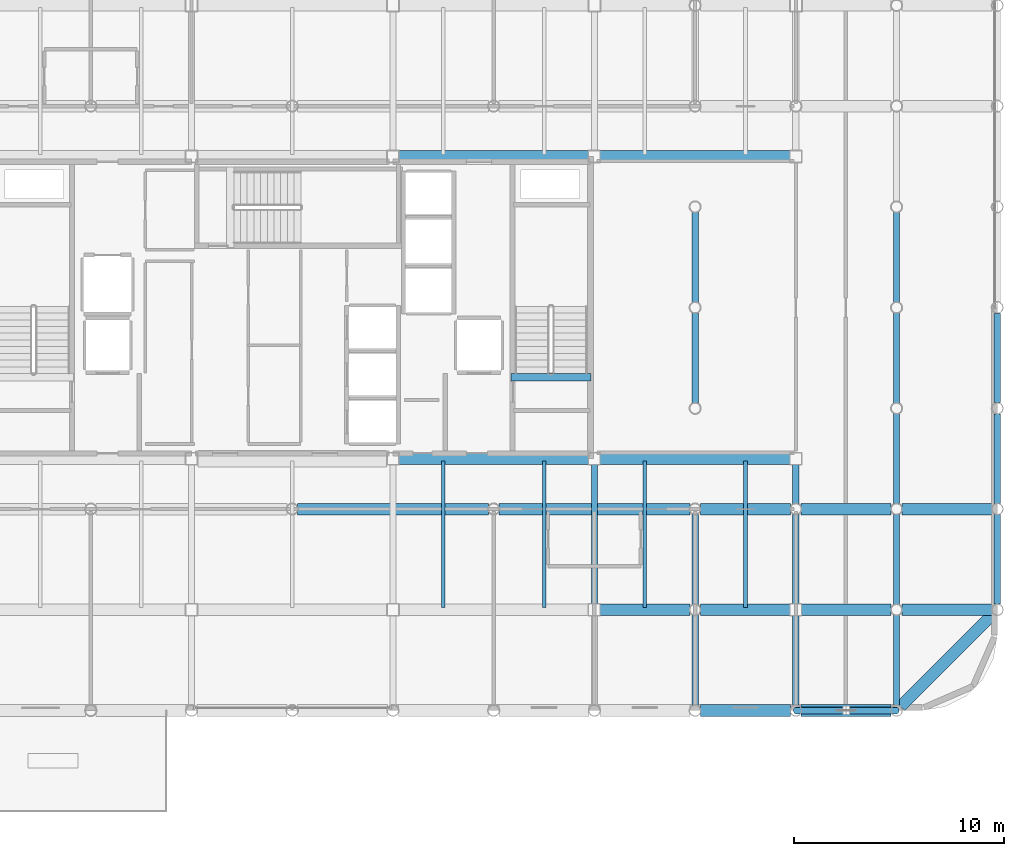
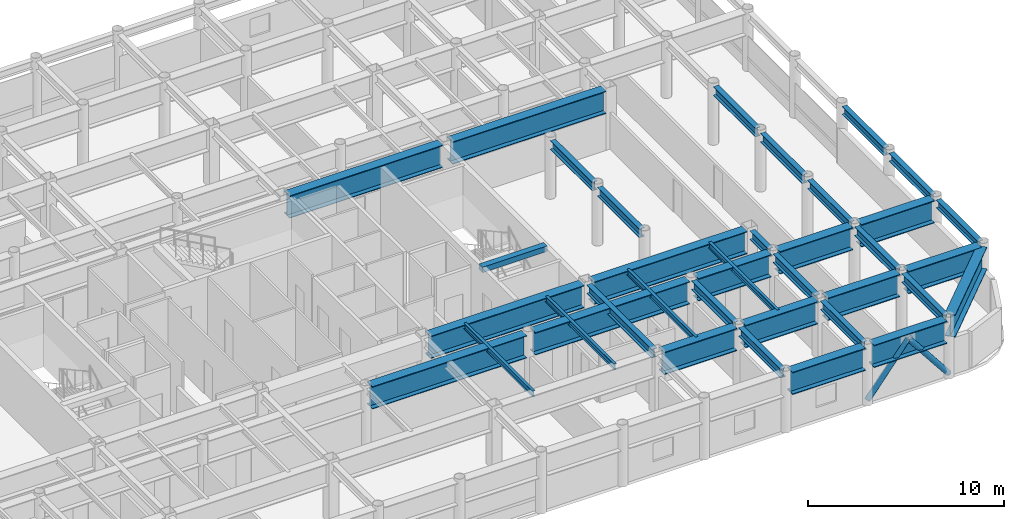
# One storey, part 9 of 26: 37 beams, 2 members.
"""IFC4 building model written with IfcOpenShell, lengths in metres."""

from ifc_helpers import new_model, si_unit, direction, frame, origin, origin_2d, place, context, subcontext, project, spatial, rectangle, hollow_circle, i_section, extrude, material, material_profile, profile_set, type_object, element, save


model = new_model("IFC4")

# Units and contexts
model_context = context("Model", 3, precision=1e-05, world=origin(), true_north=direction((0.0, 1.0)))
body_context = subcontext(model_context, "Body", "Model", "MODEL_VIEW")
ifc_project = project(units=[si_unit("LENGTHUNIT", "METRE"), si_unit("AREAUNIT", "SQUARE_METRE"), si_unit("VOLUMEUNIT", "CUBIC_METRE"), si_unit("PLANEANGLEUNIT", "RADIAN"), si_unit("MASSUNIT", "GRAM", prefix="KILO")], contexts=[model_context])

# Site, building, storey
site_placement = place(None, origin())
site = spatial("IfcSite", under=ifc_project, at=site_placement, CompositionType="ELEMENT")
building_placement = place(site_placement, origin())
building = spatial("IfcBuilding", under=site, at=building_placement, Name="Kallvorn Hotel Tower", CompositionType="ELEMENT")
storey_placement = place(building_placement, frame((0.0, 0.0, 222.300048828125)))
storey = spatial("IfcBuildingStorey", under=building, at=storey_placement, Name="L55", CompositionType="ELEMENT", Elevation=222.300048828125)

# Beams
ifc_material_1 = material(Name="Structural steel S355JR", Category="steel")
ifc_material_profile_1 = material_profile(ifc_material_1, i_section(OverallWidth=0.300048828125, OverallDepth=0.5, WebThickness=0.014404296875, FlangeThickness=0.028076171875, at=origin_2d()), Name="HE 500 B")
ifc_profile_set_1 = profile_set([ifc_material_profile_1], Name="Structural steel S355JR")
beam_type_1 = type_object("IfcBeamType", Name="BM_HE500B", PredefinedType="SPANDREL", material=ifc_profile_set_1)
beam_1_placement = place(storey_placement, frame((33.60009765625, -14.130615234375, 3.419921875), z_axis=(0.0, 1.0, 0.0), x_axis=(-1.0, 0.0, 0.0)))
element("IfcBeam", 1, at=beam_1_placement, inside=storey, type_object=beam_type_1, Name="L56 Perimeter Spandrel 182", PredefinedType="SPANDREL", context=body_context, shape_type="SweptSolid", body=[
    extrude(i_section(OverallWidth=0.300048828125, OverallDepth=0.5, WebThickness=0.014404296875, FlangeThickness=0.028076171875, at=origin_2d()), origin(), (0.0, 0.0, 1.0), 4.26123046875),
])
for number, where, z_axis, x_axis, name in (
    (2, (33.60009765625, -9.33056640625, 3.419921875), (0.0, 1.0, 0.0), (-1.0, 0.0, 0.0), "L56 Perimeter Spandrel 183"),
    (3, (33.60009765625, -4.530517578125, 3.419921875), (0.0, 1.0, 0.0), (-1.0, 0.0, 0.0), "L56 Perimeter Spandrel 184"),
):
    element("IfcBeam", number, at=place(storey_placement, frame(where, z_axis=z_axis, x_axis=x_axis)), inside=storey, type_object=beam_type_1, Name=name, PredefinedType="SPANDREL", context=body_context, shape_type="SweptSolid", body=[
        extrude(i_section(OverallWidth=0.300048828125, OverallDepth=0.5, WebThickness=0.014404296875, FlangeThickness=0.028076171875, at=origin_2d()), origin(), (0.0, 0.0, 1.0), 4.260986328125),
    ])
ifc_material_2 = material(Name="Structural steel S355JR", Category="steel")
ifc_material_profile_2 = material_profile(ifc_material_2, i_section(OverallWidth=0.300048828125, OverallDepth=0.550048828125, WebThickness=0.014892578125, FlangeThickness=0.029052734375, at=origin_2d()), Name="HE 550 B")
ifc_profile_set_2 = profile_set([ifc_material_profile_2], Name="Structural steel S355JR")
beam_type_2 = type_object("IfcBeamType", Name="BM_HE550B", PredefinedType="SPANDREL", material=ifc_profile_set_2)
beam_2_placement = place(storey_placement, frame((14.39990234375, -14.125, 3.39501953125), z_axis=(0.0, 1.0, 0.0), x_axis=(-1.0, 0.0, 0.0)))
element("IfcBeam", 4, at=beam_2_placement, inside=storey, type_object=beam_type_2, Name="L56 Primary Y-Girder 122", PredefinedType="SPANDREL", context=body_context, shape_type="SweptSolid", body=[
    extrude(i_section(OverallWidth=0.300048828125, OverallDepth=0.550048828125, WebThickness=0.014892578125, FlangeThickness=0.029052734375, at=origin_2d()), origin(), (0.0, 0.0, 1.0), 6.64990234375),
])
for number, where, z_axis, x_axis, name in (
    (5, (19.199951171875, -18.945556640625, 3.39501953125), (0.0, 1.0, 0.0), (-1.0, 0.0, 0.0), "L56 Primary Y-Girder 126"),
    (6, (19.199951171875, -14.1455078125, 3.39501953125), (0.0, 1.0, 0.0), (-1.0, 0.0, 0.0), "L56 Primary Y-Girder 127"),
    (7, (19.199951171875, -4.54541015625, 3.39501953125), (0.0, 1.0, 0.0), (-1.0, 0.0, 0.0), "L56 Primary Y-Girder 129"),
    (8, (19.199951171875, 0.25439453125, 3.39501953125), (0.0, 1.0, 0.0), (-1.0, 0.0, 0.0), "L56 Primary Y-Girder 130"),
):
    element("IfcBeam", number, at=place(storey_placement, frame(where, z_axis=z_axis, x_axis=x_axis)), inside=storey, type_object=beam_type_2, Name=name, PredefinedType="SPANDREL", context=body_context, shape_type="SweptSolid", body=[
        extrude(i_section(OverallWidth=0.300048828125, OverallDepth=0.550048828125, WebThickness=0.014892578125, FlangeThickness=0.029052734375, at=origin_2d()), origin(), (0.0, 0.0, 1.0), 4.291015625),
    ])
for number, where, z_axis, x_axis, name in (
    (9, (24.0, -18.945556640625, 3.39501953125), (0.0, 1.0, 0.0), (-1.0, 0.0, 0.0), "L56 Primary Y-Girder 135"),
    (10, (24.0, -14.125, 3.39501953125), (0.0, 1.0, 0.0), (-1.0, 0.0, 0.0), "L56 Primary Y-Girder 136"),
):
    element("IfcBeam", number, at=place(storey_placement, frame(where, z_axis=z_axis, x_axis=x_axis)), inside=storey, type_object=beam_type_2, Name=name, PredefinedType="SPANDREL", context=body_context, shape_type="SweptSolid", body=[
        extrude(i_section(OverallWidth=0.300048828125, OverallDepth=0.550048828125, WebThickness=0.014892578125, FlangeThickness=0.029052734375, at=origin_2d()), origin(), (0.0, 0.0, 1.0), 4.2705078125),
    ])
beam_3_placement = place(storey_placement, frame((24.0, -9.345458984375, 3.39501953125), z_axis=(0.0, 1.0, 0.0), x_axis=(-1.0, 0.0, 0.0)))
element("IfcBeam", 11, at=beam_3_placement, inside=storey, type_object=beam_type_2, Name="L56 Primary Y-Girder 137", PredefinedType="SPANDREL", context=body_context, shape_type="SweptSolid", body=[
    extrude(i_section(OverallWidth=0.300048828125, OverallDepth=0.550048828125, WebThickness=0.014892578125, FlangeThickness=0.029052734375, at=origin_2d()), origin(), (0.0, 0.0, 1.0), 1.870361328125),
])
for number, where, z_axis, x_axis, name in (
    (12, (28.800048828125, -18.945556640625, 3.39501953125), (0.0, 1.0, 0.0), (-1.0, 0.0, 0.0), "L56 Primary Y-Girder 142"),
    (13, (28.800048828125, -14.1455078125, 3.39501953125), (0.0, 1.0, 0.0), (-1.0, 0.0, 0.0), "L56 Primary Y-Girder 143"),
    (14, (28.800048828125, -9.345458984375, 3.39501953125), (0.0, 1.0, 0.0), (-1.0, 0.0, 0.0), "L56 Primary Y-Girder 144"),
    (15, (28.800048828125, -4.54541015625, 3.39501953125), (0.0, 1.0, 0.0), (-1.0, 0.0, 0.0), "L56 Primary Y-Girder 145"),
    (16, (28.800048828125, 0.25439453125, 3.39501953125), (0.0, 1.0, 0.0), (-1.0, 0.0, 0.0), "L56 Primary Y-Girder 146"),
):
    element("IfcBeam", number, at=place(storey_placement, frame(where, z_axis=z_axis, x_axis=x_axis)), inside=storey, type_object=beam_type_2, Name=name, PredefinedType="SPANDREL", context=body_context, shape_type="SweptSolid", body=[
        extrude(i_section(OverallWidth=0.300048828125, OverallDepth=0.550048828125, WebThickness=0.014892578125, FlangeThickness=0.029052734375, at=origin_2d()), origin(), (0.0, 0.0, 1.0), 4.291015625),
    ])
ifc_material_3 = material(Name="Structural steel S355JR", Category="steel")
ifc_material_profile_3 = material_profile(ifc_material_3, i_section(OverallWidth=0.169921875, OverallDepth=0.360107421875, WebThickness=0.008056640625, FlangeThickness=0.0126953125, at=origin_2d()), Name="IPE 360")
ifc_profile_set_3 = profile_set([ifc_material_profile_3], Name="Structural steel S355JR")
beam_type_3 = type_object("IfcBeamType", Name="BM_IPE360", PredefinedType="JOIST", material=ifc_profile_set_3)
for number, where, z_axis, x_axis, name in (
    (17, (7.199951171875, -14.300048828125, 3.489990234375), (0.0, 1.0, 0.0), (-1.0, 0.0, 0.0), "L56 Secondary Composite Joist 202"),
    (18, (12.0, -14.300048828125, 3.489990234375), (0.0, 1.0, 0.0), (-1.0, 0.0, 0.0), "L56 Secondary Composite Joist 204"),
    (19, (16.800048828125, -14.300048828125, 3.489990234375), (0.0, 1.0, 0.0), (-1.0, 0.0, 0.0), "L56 Secondary Composite Joist 206"),
    (20, (21.60009765625, -14.300048828125, 3.489990234375), (0.0, 1.0, 0.0), (-1.0, 0.0, 0.0), "L56 Secondary Composite Joist 208"),
):
    element("IfcBeam", number, at=place(storey_placement, frame(where, z_axis=z_axis, x_axis=x_axis)), inside=storey, type_object=beam_type_3, Name=name, PredefinedType="JOIST", context=body_context, shape_type="SweptSolid", body=[
        extrude(i_section(OverallWidth=0.169921875, OverallDepth=0.360107421875, WebThickness=0.008056640625, FlangeThickness=0.0126953125, at=origin_2d()), origin(), (0.0, 0.0, 1.0), 7.0),
    ])
ifc_material_4 = material(Name="Structural steel S355JR", Category="steel")
ifc_material_profile_4 = material_profile(ifc_material_4, i_section(OverallWidth=0.550048828125, OverallDepth=1.39990234375, WebThickness=0.02490234375, FlangeThickness=0.044921875, at=origin_2d()), Name="PG 1400x550x25x45")
ifc_profile_set_4 = profile_set([ifc_material_profile_4], Name="Structural steel S355JR")
beam_type_4 = type_object("IfcBeamType", Name="BM_PG_1400", PredefinedType="BEAM", material=ifc_profile_set_4)
for number, where, z_axis, x_axis, name in (
    (21, (19.45458984375, -19.199951171875, 2.969970703125), (1.0, 0.0, 0.0), (0.0, 1.0, 0.0), "L56 Primary X-Girder 11"),
    (22, (24.25439453125, -19.199951171875, 2.969970703125), (1.0, 0.0, 0.0), (0.0, 1.0, 0.0), "L56 Primary X-Girder 12"),
):
    element("IfcBeam", number, at=place(storey_placement, frame(where, z_axis=z_axis, x_axis=x_axis)), inside=storey, type_object=beam_type_4, Name=name, PredefinedType="BEAM", context=body_context, shape_type="SweptSolid", body=[
        extrude(i_section(OverallWidth=0.550048828125, OverallDepth=1.39990234375, WebThickness=0.02490234375, FlangeThickness=0.044921875, at=origin_2d()), origin(), (0.0, 0.0, 1.0), 4.291015625),
    ])
for number, where, z_axis, x_axis, name in (
    (23, (14.675048828125, -14.39990234375, 2.969970703125), (1.0, 0.0, 0.0), (0.0, 1.0, 0.0), "L56 Primary X-Girder 19"),
    (24, (19.45458984375, -14.39990234375, 2.969970703125), (1.0, 0.0, 0.0), (0.0, 1.0, 0.0), "L56 Primary X-Girder 20"),
    (25, (24.27490234375, -14.39990234375, 2.969970703125), (1.0, 0.0, 0.0), (0.0, 1.0, 0.0), "L56 Primary X-Girder 21"),
):
    element("IfcBeam", number, at=place(storey_placement, frame(where, z_axis=z_axis, x_axis=x_axis)), inside=storey, type_object=beam_type_4, Name=name, PredefinedType="BEAM", context=body_context, shape_type="SweptSolid", body=[
        extrude(i_section(OverallWidth=0.550048828125, OverallDepth=1.39990234375, WebThickness=0.02490234375, FlangeThickness=0.044921875, at=origin_2d()), origin(), (0.0, 0.0, 1.0), 4.2705078125),
    ])
beam_4_placement = place(storey_placement, frame((29.054443359375, -14.39990234375, 2.969970703125), z_axis=(1.0, 0.0, 0.0), x_axis=(0.0, 1.0, 0.0)))
element("IfcBeam", 26, at=beam_4_placement, inside=storey, type_object=beam_type_4, Name="L56 Primary X-Girder 22", PredefinedType="BEAM", context=body_context, shape_type="SweptSolid", body=[
    extrude(i_section(OverallWidth=0.550048828125, OverallDepth=1.39990234375, WebThickness=0.02490234375, FlangeThickness=0.044921875, at=origin_2d()), origin(), (0.0, 0.0, 1.0), 4.291015625),
])
for number, where, z_axis, x_axis, name in (
    (27, (0.25439453125, -9.60009765625, 2.969970703125), (1.0, 0.0, 0.0), (0.0, 1.0, 0.0), "L56 Primary X-Girder 27"),
    (28, (9.8544921875, -9.60009765625, 2.969970703125), (1.0, 0.0, 0.0), (0.0, 1.0, 0.0), "L56 Primary X-Girder 28"),
):
    element("IfcBeam", number, at=place(storey_placement, frame(where, z_axis=z_axis, x_axis=x_axis)), inside=storey, type_object=beam_type_4, Name=name, PredefinedType="BEAM", context=body_context, shape_type="SweptSolid", body=[
        extrude(i_section(OverallWidth=0.550048828125, OverallDepth=1.39990234375, WebThickness=0.02490234375, FlangeThickness=0.044921875, at=origin_2d()), origin(), (0.0, 0.0, 1.0), 9.091064453125),
    ])
for number, where, z_axis, x_axis, name in (
    (29, (19.45458984375, -9.60009765625, 2.969970703125), (1.0, 0.0, 0.0), (0.0, 1.0, 0.0), "L56 Primary X-Girder 29"),
    (30, (24.25439453125, -9.60009765625, 2.969970703125), (1.0, 0.0, 0.0), (0.0, 1.0, 0.0), "L56 Primary X-Girder 30"),
    (31, (29.054443359375, -9.60009765625, 2.969970703125), (1.0, 0.0, 0.0), (0.0, 1.0, 0.0), "L56 Primary X-Girder 31"),
):
    element("IfcBeam", number, at=place(storey_placement, frame(where, z_axis=z_axis, x_axis=x_axis)), inside=storey, type_object=beam_type_4, Name=name, PredefinedType="BEAM", context=body_context, shape_type="SweptSolid", body=[
        extrude(i_section(OverallWidth=0.550048828125, OverallDepth=1.39990234375, WebThickness=0.02490234375, FlangeThickness=0.044921875, at=origin_2d()), origin(), (0.0, 0.0, 1.0), 4.291015625),
    ])
for number, where, z_axis, x_axis, name in (
    (32, (5.074951171875, -7.199951171875, 2.969970703125), (1.0, 0.0, 0.0), (0.0, 1.0, 0.0), "L56 Primary X-Girder 34"),
    (33, (14.675048828125, -7.199951171875, 2.969970703125), (1.0, 0.0, 0.0), (0.0, 1.0, 0.0), "L56 Primary X-Girder 35"),
    (34, (5.074951171875, 7.199951171875, 2.969970703125), (1.0, 0.0, 0.0), (0.0, 1.0, 0.0), "L56 Primary X-Girder 39"),
    (35, (14.675048828125, 7.199951171875, 2.969970703125), (1.0, 0.0, 0.0), (0.0, 1.0, 0.0), "L56 Primary X-Girder 40"),
):
    element("IfcBeam", number, at=place(storey_placement, frame(where, z_axis=z_axis, x_axis=x_axis)), inside=storey, type_object=beam_type_4, Name=name, PredefinedType="BEAM", context=body_context, shape_type="SweptSolid", body=[
        extrude(i_section(OverallWidth=0.550048828125, OverallDepth=1.39990234375, WebThickness=0.02490234375, FlangeThickness=0.044921875, at=origin_2d()), origin(), (0.0, 0.0, 1.0), 9.050048828125),
    ])
beam_5_placement = place(storey_placement, frame((33.409423828125, -14.590576171875, 2.969970703125), z_axis=(-0.707106781187, -0.707106781187, 0.0), x_axis=(0.707106781187, -0.707106781187, 0.0)))
element("IfcBeam", 36, at=beam_5_placement, inside=storey, type_object=beam_type_4, Name="L56 Rounded Corner Tie Beam 190", PredefinedType="BEAM", context=body_context, shape_type="SweptSolid", body=[
    extrude(i_section(OverallWidth=0.550048828125, OverallDepth=1.39990234375, WebThickness=0.02490234375, FlangeThickness=0.044921875, at=origin_2d()), origin(), (0.0, 0.0, 1.0), 6.249267578125),
])
ifc_material_5 = material(Name="Concrete C50/60", Category="concrete")
ifc_material_profile_5 = material_profile(ifc_material_5, rectangle(XDim=0.360107421875, YDim=0.340087890625, at=origin_2d()), Name="RC 360x340")
ifc_profile_set_5 = profile_set([ifc_material_profile_5], Name="Concrete C50/60")
beam_type_5 = type_object("IfcBeamType", Name="BM_RC_400x360", PredefinedType="BEAM", material=ifc_profile_set_5)
beam_6_placement = place(storey_placement, frame((14.239990234375, -3.31005859375, 3.5), z_axis=(-1.0, 0.0, 0.0), x_axis=(0.0, -1.0, 0.0)))
element("IfcBeam", 37, at=beam_6_placement, inside=storey, type_object=beam_type_5, Name="L56 Stair ST2 Arrival Trimmer Beam", PredefinedType="BEAM", context=body_context, shape_type="SweptSolid", body=[
    extrude(rectangle(XDim=0.360107421875, YDim=0.340087890625, at=origin_2d()), origin(), (0.0, 0.0, 1.0), 3.820068359375),
])

# Members
ifc_material_6 = material(Name="Structural steel S355J2H", Category="steel")
ifc_material_profile_6 = material_profile(ifc_material_6, hollow_circle(Radius=0.161865234375, WallThickness=0.012451171875, at=origin_2d()), Name="CHS 323.9x12.5")
ifc_profile_set_6 = profile_set([ifc_material_profile_6], Name="Structural steel S355J2H")
member_type = type_object("IfcMemberType", Name="MBR_EXO_CHS323", PredefinedType="BRACE", material=ifc_profile_set_6)
for number, where, z_axis, x_axis, name in (
    (38, (24.012451171875, -19.199951171875, 0.195556640625), (0.62089744796, 0.0, 0.783891803196), (0.0, 1.0, 0.0), "L55 Exoskeleton K-Brace S2A"),
    (39, (28.78759765625, -19.199951171875, 0.195556640625), (-0.62089744796, 0.0, 0.783891803196), (0.0, -1.0, 0.0), "L55 Exoskeleton K-Brace S2B"),
):
    element("IfcMember", number, at=place(storey_placement, frame(where, z_axis=z_axis, x_axis=x_axis)), inside=storey, type_object=member_type, Name=name, PredefinedType="BRACE", context=body_context, shape_type="SweptSolid", body=[
        extrude(hollow_circle(Radius=0.161865234375, WallThickness=0.012451171875, at=origin_2d()), origin(), (0.0, 0.0, 1.0), 3.825439453125),
    ])

save(model, "model.ifc")
